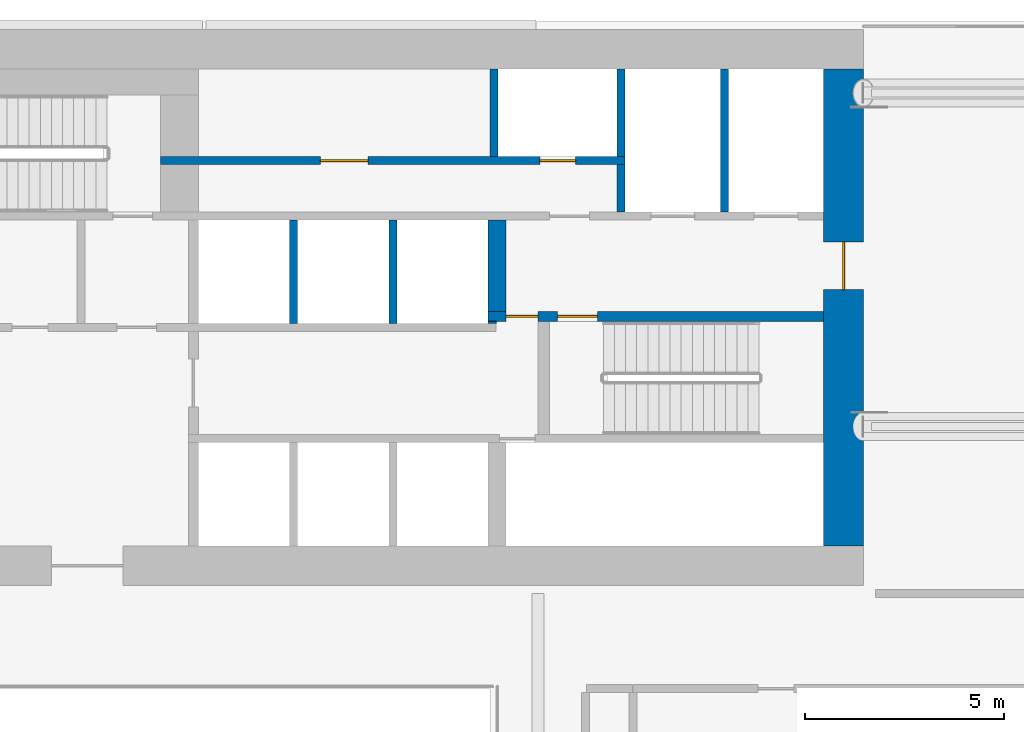
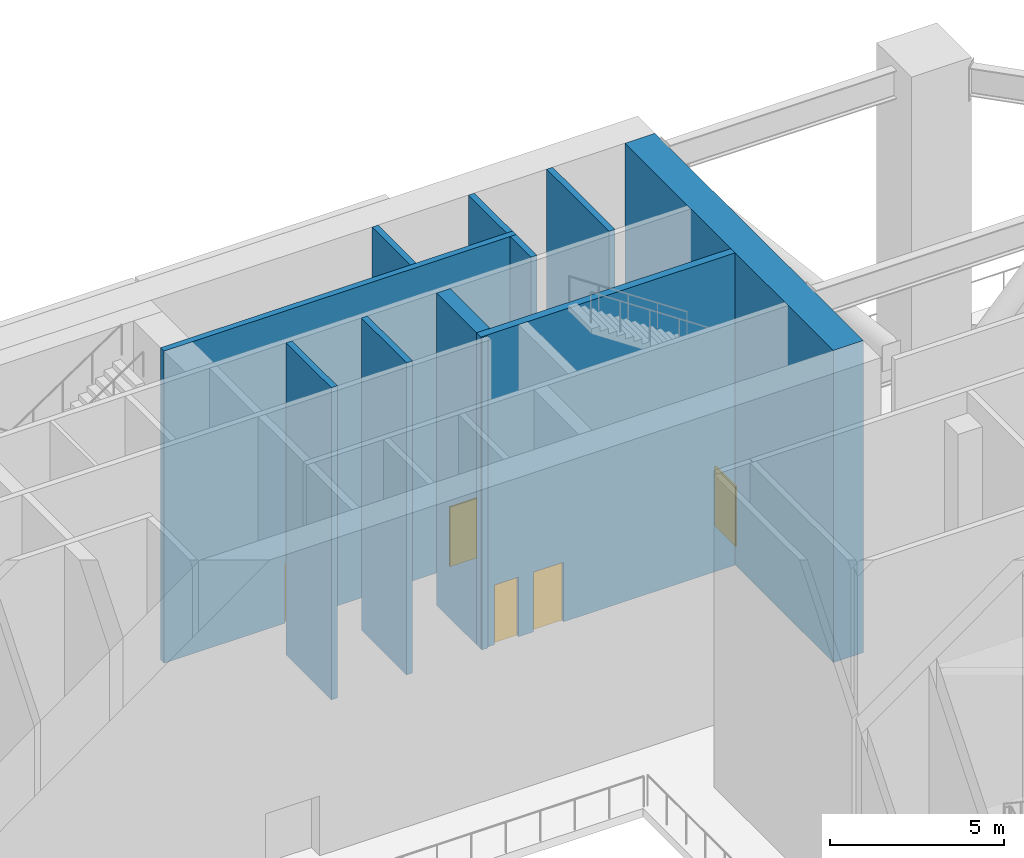
# One storey, part 7 of 19: 11 walls, 5 doors, 5 openings.
"""IFC4 building model written with IfcOpenShell, lengths in metres."""

from ifc_helpers import new_model, si_unit, direction, frame, frame_2d, origin, place, context, subcontext, project, spatial, rectangle, extrude, material, layer, layer_set, type_object, element, fill, save


model = new_model("IFC4")

# Units and contexts
model_context = context("Model", 3, precision=1e-05, world=origin(), true_north=direction((0.0, 1.0)))
body_context = subcontext(model_context, "Body", "Model", "MODEL_VIEW")
ifc_project = project(units=[si_unit("LENGTHUNIT", "METRE"), si_unit("AREAUNIT", "SQUARE_METRE"), si_unit("VOLUMEUNIT", "CUBIC_METRE"), si_unit("PLANEANGLEUNIT", "RADIAN"), si_unit("MASSUNIT", "GRAM", prefix="KILO")], contexts=[model_context])

# Site, building, storey
site_placement = place(None, origin())
site = spatial("IfcSite", under=ifc_project, at=site_placement, CompositionType="ELEMENT")
building_placement = place(site_placement, origin())
building = spatial("IfcBuilding", under=site, at=building_placement, Name="Saffron Gate Tower", CompositionType="ELEMENT")
storey_placement = place(building_placement, frame((0.0, 0.0, 84.0)))
storey = spatial("IfcBuildingStorey", under=building, at=storey_placement, Name="L20", CompositionType="ELEMENT", Elevation=84.0)

# Wall, opening, door
ifc_material_1 = material(Name="Concrete C70", Category="concrete")
ifc_layer_1 = layer(ifc_material_1, 1.0)
ifc_layer_set_1 = layer_set([ifc_layer_1], Name="CW12 RC core wall 1000 C70")
wall_type_1 = type_object("IfcWallType", Name="CW12 RC core wall 1000 C70", PredefinedType="SOLIDWALL", material=ifc_layer_set_1)
wall_1_placement = place(storey_placement, frame((107.89990234375, 62.39990234375, 0.0), z_axis=(0.0, 0.0, 1.0), x_axis=(0.0, 1.0, 0.0)))
wall_1 = element("IfcWall", 1, at=wall_1_placement, inside=storey, type_object=wall_type_1, Name="Wall CW12-L20-4", PredefinedType="SOLIDWALL", context=body_context, shape_type="SweptSolid", body=[
    extrude(rectangle(XDim=12.0, YDim=1.0, at=frame_2d((6.0, 0.0))), origin(), (0.0, 0.0, 1.0), 10.969970703125),
])
opening_1_placement = place(wall_1_placement, frame((6.449951171875, 0.0, 0.0)))
opening_1 = element("IfcOpeningElement", 2, at=opening_1_placement, cuts=wall_1, Name="Opening CR-08", PredefinedType="OPENING", context=body_context, shape_type="SweptSolid", body=[
    extrude(rectangle(XDim=1.199951171875, YDim=2.10009765625, at=frame_2d((0.60009765625, 1.050048828125))), frame((0.0, 0.510009765625, 0.0), z_axis=(0.0, -1.0, 0.0), x_axis=(1.0, 0.0, 0.0)), (0.0, 0.0, 1.0), 1.02001953125),
])
ifc_material_2 = material(Name="Steel fire door set", Category="steel")
door_type_1 = type_object("IfcDoorType", Name="CD7 Core entrance door 1200x2100 EI 120", OperationType="NOTDEFINED", PredefinedType="DOOR", material=ifc_material_2)
door_1_placement = place(opening_1_placement, origin())
door_1 = element("IfcDoor", 3, at=door_1_placement, inside=storey, type_object=door_type_1, Name="DOOR CR-08", OperationType="SINGLE_SWING_RIGHT", OverallHeight=2.10009765625, OverallWidth=1.199951171875, PredefinedType="DOOR", context=body_context, shape_type="SweptSolid", body=[
    extrude(rectangle(XDim=1.199951171875, YDim=2.10009765625, at=frame_2d((0.60009765625, 1.050048828125))), frame((0.0, 0.02490234375, 0.0), z_axis=(0.0, -1.0, 0.0), x_axis=(1.0, 0.0, 0.0)), (0.0, 0.0, 1.0), 0.050048828125),
])
fill(opening_1, door_1)

# Wall, openings, doors
ifc_layer_2 = layer(ifc_material_1, 0.25)
ifc_layer_set_2 = layer_set([ifc_layer_2], Name="CW2 RC core wall 250 C70")
wall_type_2 = type_object("IfcWallType", Name="CW2 RC core wall 250 C70", PredefinedType="SOLIDWALL", material=ifc_layer_set_2)
wall_2_placement = place(storey_placement, frame((98.949951171875, 68.175048828125, 0.0), z_axis=(0.0, 0.0, 1.0), x_axis=(1.0, 0.0, 0.0)))
wall_2 = element("IfcWall", 4, at=wall_2_placement, inside=storey, type_object=wall_type_2, Name="Wall CW2-L20-31", PredefinedType="SOLIDWALL", context=body_context, shape_type="SweptSolid", body=[
    extrude(rectangle(XDim=8.449951171875, YDim=0.25, at=frame_2d((4.22509765625, 0.0))), origin(), (0.0, 0.0, 1.0), 10.969970703125),
])
opening_2_placement = place(wall_2_placement, frame((0.449951171875, 0.0, 0.0)))
opening_2 = element("IfcOpeningElement", 5, at=opening_2_placement, cuts=wall_2, Name="Opening CR-05", PredefinedType="OPENING", context=body_context, shape_type="SweptSolid", body=[
    extrude(rectangle(XDim=0.800048828125, YDim=2.10009765625, at=frame_2d((0.39990234375, 1.050048828125))), frame((0.0, 0.135009765625, 0.0), z_axis=(0.0, -1.0, 0.0), x_axis=(1.0, 0.0, 0.0)), (0.0, 0.0, 1.0), 0.27001953125),
])
opening_3_placement = place(wall_2_placement, frame((1.75, 0.0, 0.0)))
opening_3 = element("IfcOpeningElement", 6, at=opening_3_placement, cuts=wall_2, Name="Opening CR-16", PredefinedType="OPENING", context=body_context, shape_type="SweptSolid", body=[
    extrude(rectangle(XDim=1.0, YDim=2.10009765625, at=frame_2d((0.5, 1.050048828125))), frame((0.0, 0.135009765625, 0.0), z_axis=(0.0, -1.0, 0.0), x_axis=(1.0, 0.0, 0.0)), (0.0, 0.0, 1.0), 0.27001953125),
])
door_type_2 = type_object("IfcDoorType", Name="CD5 Stair door 1000x2100 EI 120", OperationType="NOTDEFINED", PredefinedType="DOOR", material=ifc_material_2)
door_2_placement = place(opening_3_placement, origin())
door_2 = element("IfcDoor", 7, at=door_2_placement, inside=storey, type_object=door_type_2, Name="DOOR CR-16", OperationType="SINGLE_SWING_RIGHT", OverallHeight=2.10009765625, OverallWidth=1.0, PredefinedType="DOOR", context=body_context, shape_type="SweptSolid", body=[
    extrude(rectangle(XDim=1.0, YDim=2.10009765625, at=frame_2d((0.5, 1.050048828125))), frame((0.0, 0.02490234375, 0.0), z_axis=(0.0, -1.0, 0.0), x_axis=(1.0, 0.0, 0.0)), (0.0, 0.0, 1.0), 0.050048828125),
])
fill(opening_3, door_2)
door_type_3 = type_object("IfcDoorType", Name="CD6 Lobby door 800x2100 EI 120", OperationType="NOTDEFINED", PredefinedType="DOOR", material=ifc_material_2)
door_3_placement = place(opening_2_placement, origin())
door_3 = element("IfcDoor", 8, at=door_3_placement, inside=storey, type_object=door_type_3, Name="DOOR CR-05", OperationType="SINGLE_SWING_LEFT", OverallHeight=2.10009765625, OverallWidth=0.800048828125, PredefinedType="DOOR", context=body_context, shape_type="SweptSolid", body=[
    extrude(rectangle(XDim=0.800048828125, YDim=2.10009765625, at=frame_2d((0.39990234375, 1.050048828125))), frame((0.0, 0.02490234375, 0.0), z_axis=(0.0, -1.0, 0.0), x_axis=(1.0, 0.0, 0.0)), (0.0, 0.0, 1.0), 0.050048828125),
])
fill(opening_2, door_3)

# Walls
ifc_layer_3 = layer(ifc_material_1, 0.199951171875)
ifc_layer_set_3 = layer_set([ifc_layer_3], Name="CW3 RC core wall 200 C70")
wall_type_3 = type_object("IfcWallType", Name="CW3 RC core wall 200 C70", PredefinedType="SOLIDWALL", material=ifc_layer_set_3)
for number, where, z_axis, x_axis, name in (
    (9, (94.050048828125, 68.0, 0.0), (0.0, 0.0, 1.0), (0.0, 1.0, 0.0), "Wall CW3-L20-27"),
    (10, (96.550048828125, 68.0, 0.0), (0.0, 0.0, 1.0), (0.0, 1.0, 0.0), "Wall CW3-L20-28"),
):
    element("IfcWall", number, at=place(storey_placement, frame(where, z_axis=z_axis, x_axis=x_axis)), inside=storey, type_object=wall_type_3, Name=name, PredefinedType="SOLIDWALL", context=body_context, shape_type="SweptSolid", body=[
        extrude(rectangle(XDim=2.60009765625, YDim=0.199951171875, at=frame_2d((1.300048828125, 0.0))), origin(), (0.0, 0.0, 1.0), 10.969970703125),
    ])
wall_3_placement = place(storey_placement, frame((102.300048828125, 70.800048828125, 0.0), z_axis=(0.0, 0.0, 1.0), x_axis=(0.0, 1.0, 0.0)))
element("IfcWall", 11, at=wall_3_placement, inside=storey, type_object=wall_type_3, Name="Wall CW3-L20-39", PredefinedType="SOLIDWALL", context=body_context, shape_type="SweptSolid", body=[
    extrude(rectangle(XDim=1.199951171875, YDim=0.199951171875, at=frame_2d((0.60009765625, 0.0))), origin(), (0.0, 0.0, 1.0), 10.969970703125),
])
wall_4_placement = place(storey_placement, frame((104.89990234375, 70.800048828125, 0.0), z_axis=(0.0, 0.0, 1.0), x_axis=(0.0, 1.0, 0.0)))
element("IfcWall", 12, at=wall_4_placement, inside=storey, type_object=wall_type_3, Name="Wall CW3-L20-40", PredefinedType="SOLIDWALL", context=body_context, shape_type="SweptSolid", body=[
    extrude(rectangle(XDim=3.599853515625, YDim=0.199951171875, at=frame_2d((1.7998046875, 0.0))), origin(), (0.0, 0.0, 1.0), 10.969970703125),
])

# Wall, openings, doors
wall_5_placement = place(storey_placement, frame((90.699951171875, 72.10009765625, 0.0), z_axis=(0.0, 0.0, 1.0), x_axis=(1.0, 0.0, 0.0)))
wall_5 = element("IfcWall", 13, at=wall_5_placement, inside=storey, type_object=wall_type_3, Name="Wall CW3-L20-42", PredefinedType="SOLIDWALL", context=body_context, shape_type="SweptSolid", body=[
    extrude(rectangle(XDim=11.699951171875, YDim=0.199951171875, at=frame_2d((5.85009765625, 0.0))), origin(), (0.0, 0.0, 1.0), 10.969970703125),
])
opening_4_placement = place(wall_5_placement, frame((4.02490234375, 0.0, 0.0)))
opening_4 = element("IfcOpeningElement", 14, at=opening_4_placement, cuts=wall_5, Name="Opening CR-52", PredefinedType="OPENING", context=body_context, shape_type="SweptSolid", body=[
    extrude(rectangle(XDim=1.199951171875, YDim=2.10009765625, at=frame_2d((0.60009765625, 1.050048828125))), frame((0.0, 0.10986328125, 0.0), z_axis=(0.0, -1.0, 0.0), x_axis=(1.0, 0.0, 0.0)), (0.0, 0.0, 1.0), 0.219970703125),
])
opening_5_placement = place(wall_5_placement, frame((9.550048828125, 0.0, 0.0)))
opening_5 = element("IfcOpeningElement", 15, at=opening_5_placement, cuts=wall_5, Name="Opening CR-70", PredefinedType="OPENING", context=body_context, shape_type="SweptSolid", body=[
    extrude(rectangle(XDim=0.89990234375, YDim=2.10009765625, at=frame_2d((0.449951171875, 1.050048828125))), frame((0.0, 0.10986328125, 0.0), z_axis=(0.0, -1.0, 0.0), x_axis=(1.0, 0.0, 0.0)), (0.0, 0.0, 1.0), 0.219970703125),
])
door_type_4 = type_object("IfcDoorType", Name="CD10 Room door 1200x2100 EI 60", OperationType="NOTDEFINED", PredefinedType="DOOR", material=ifc_material_2)
door_4_placement = place(opening_4_placement, origin())
door_4 = element("IfcDoor", 16, at=door_4_placement, inside=storey, type_object=door_type_4, Name="DOOR CR-52", OperationType="SINGLE_SWING_LEFT", OverallHeight=2.10009765625, OverallWidth=1.199951171875, PredefinedType="DOOR", context=body_context, shape_type="SweptSolid", body=[
    extrude(rectangle(XDim=1.199951171875, YDim=2.10009765625, at=frame_2d((0.60009765625, 1.050048828125))), frame((0.0, 0.02490234375, 0.0), z_axis=(0.0, -1.0, 0.0), x_axis=(1.0, 0.0, 0.0)), (0.0, 0.0, 1.0), 0.050048828125),
])
fill(opening_4, door_4)
door_type_5 = type_object("IfcDoorType", Name="CD2 Riser door 900x2100 EI 60", OperationType="NOTDEFINED", PredefinedType="DOOR", material=ifc_material_2)
door_5_placement = place(opening_5_placement, origin())
door_5 = element("IfcDoor", 17, at=door_5_placement, inside=storey, type_object=door_type_5, Name="DOOR CR-70", OperationType="SINGLE_SWING_LEFT", OverallHeight=2.10009765625, OverallWidth=0.89990234375, PredefinedType="DOOR", context=body_context, shape_type="SweptSolid", body=[
    extrude(rectangle(XDim=0.89990234375, YDim=2.10009765625, at=frame_2d((0.449951171875, 1.050048828125))), frame((0.0, 0.02490234375, 0.0), z_axis=(0.0, -1.0, 0.0), x_axis=(1.0, 0.0, 0.0)), (0.0, 0.0, 1.0), 0.050048828125),
])
fill(opening_5, door_5)

# Walls
for number, where, z_axis, x_axis, name in (
    (18, (99.10009765625, 72.199951171875, 0.0), (0.0, 0.0, 1.0), (0.0, 1.0, 0.0), "Wall CW3-L20-47"),
    (19, (102.300048828125, 72.199951171875, 0.0), (0.0, 0.0, 1.0), (0.0, 1.0, 0.0), "Wall CW3-L20-48"),
):
    element("IfcWall", number, at=place(storey_placement, frame(where, z_axis=z_axis, x_axis=x_axis)), inside=storey, type_object=wall_type_3, Name=name, PredefinedType="SOLIDWALL", context=body_context, shape_type="SweptSolid", body=[
        extrude(rectangle(XDim=2.199951171875, YDim=0.199951171875, at=frame_2d((1.10009765625, 0.0))), origin(), (0.0, 0.0, 1.0), 10.969970703125),
    ])
ifc_layer_4 = layer(ifc_material_1, 0.449951171875)
ifc_layer_set_4 = layer_set([ifc_layer_4], Name="CW4 RC core wall 450 C70")
wall_type_4 = type_object("IfcWallType", Name="CW4 RC core wall 450 C70", PredefinedType="SOLIDWALL", material=ifc_layer_set_4)
wall_6_placement = place(storey_placement, frame((99.175048828125, 68.300048828125, 0.0), z_axis=(0.0, 0.0, 1.0), x_axis=(0.0, 1.0, 0.0)))
element("IfcWall", 20, at=wall_6_placement, inside=storey, type_object=wall_type_4, Name="Wall CW4-L20-33", PredefinedType="SOLIDWALL", context=body_context, shape_type="SweptSolid", body=[
    extrude(rectangle(XDim=2.300048828125, YDim=0.449951171875, at=frame_2d((1.14990234375, 0.0))), origin(), (0.0, 0.0, 1.0), 10.969970703125),
])
ifc_layer_5 = layer(ifc_material_1, 0.050048828125)
ifc_layer_set_5 = layer_set([ifc_layer_5], Name="CW6 RC core wall 50 C70")
wall_type_5 = type_object("IfcWallType", Name="CW6 RC core wall 50 C70", PredefinedType="SOLIDWALL", material=ifc_layer_set_5)
wall_7_placement = place(storey_placement, frame((98.949951171875, 68.02490234375, 0.0), z_axis=(0.0, 0.0, 1.0), x_axis=(1.0, 0.0, 0.0)))
element("IfcWall", 21, at=wall_7_placement, inside=storey, type_object=wall_type_5, Name="Wall CW6-L20-29", PredefinedType="SOLIDWALL", context=body_context, shape_type="SweptSolid", body=[
    extrude(rectangle(XDim=0.199951171875, YDim=0.050048828125, at=frame_2d((0.10009765625, 0.0))), origin(), (0.0, 0.0, 1.0), 10.969970703125),
])

save(model, "model.ifc")
